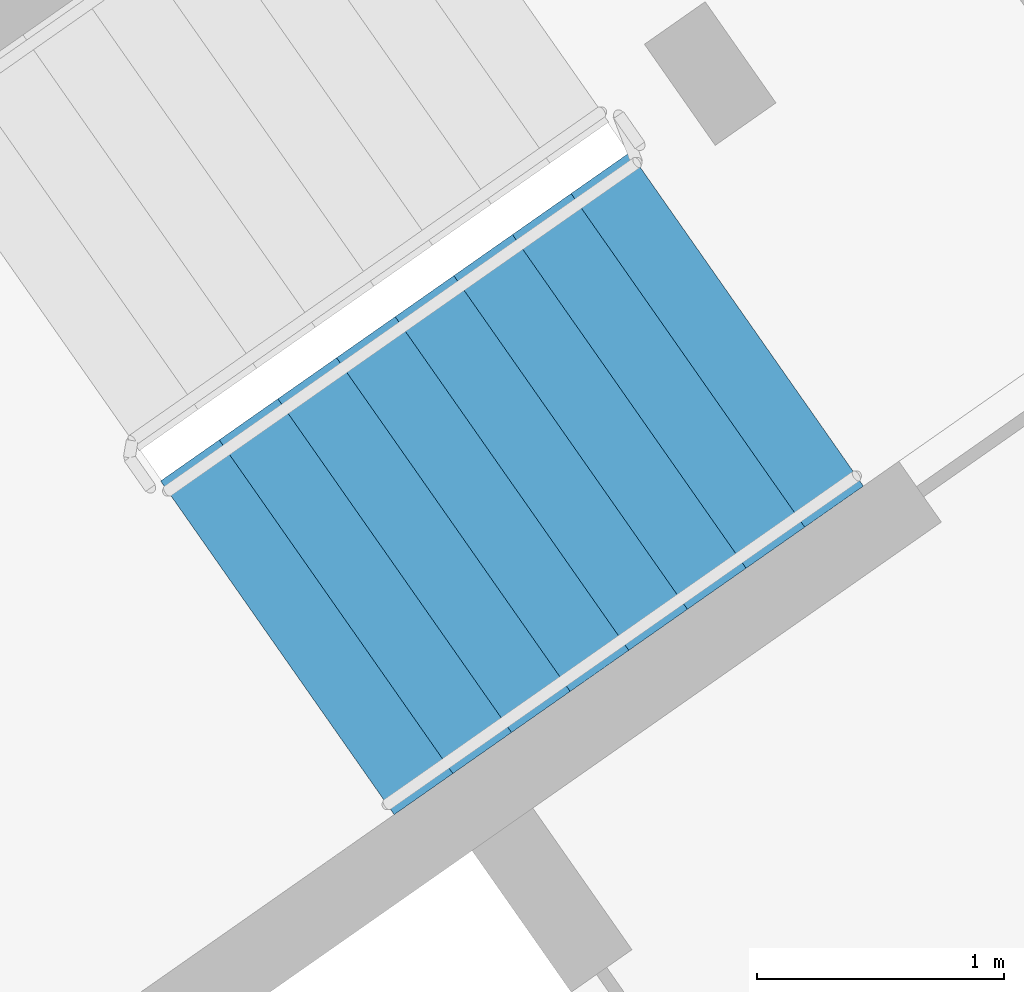
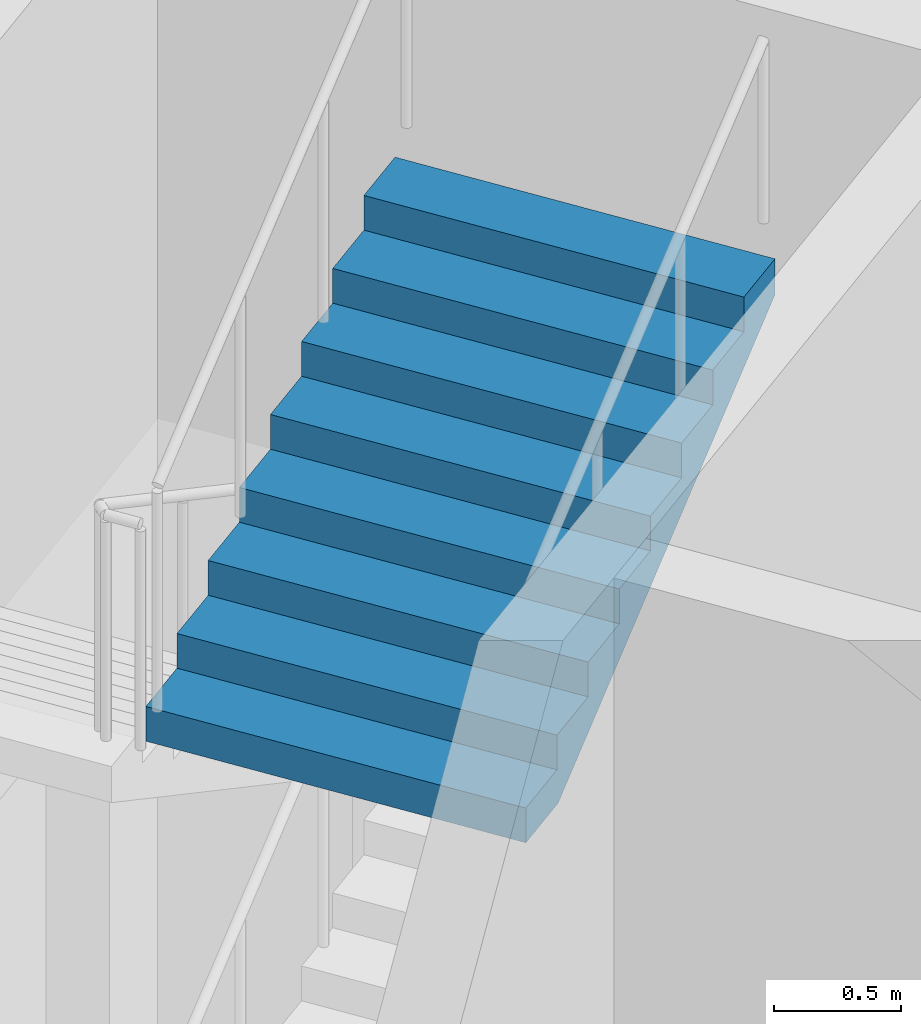
# One storey, part 21 of 41: 1 stair flight, 1 element without a shape of its own.
"""IFC4 building model written with IfcOpenShell, lengths in metres."""

from ifc_helpers import new_model, si_unit, direction, frame, origin, place, context, subcontext, project, spatial, faceted_brep, material, type_object, element, aggregate, save


model = new_model("IFC4")

# Units and contexts
model_context = context("Model", 3, precision=1e-05, world=origin(), true_north=direction((0.0, 1.0)))
body_context = subcontext(model_context, "Body", "Model", "MODEL_VIEW")
ifc_project = project(units=[si_unit("LENGTHUNIT", "METRE"), si_unit("AREAUNIT", "SQUARE_METRE"), si_unit("VOLUMEUNIT", "CUBIC_METRE"), si_unit("PLANEANGLEUNIT", "RADIAN"), si_unit("MASSUNIT", "GRAM", prefix="KILO")], contexts=[model_context])

# Site, building, storey
site_placement = place(None, origin())
site = spatial("IfcSite", under=ifc_project, at=site_placement, CompositionType="ELEMENT")
building_placement = place(site_placement, origin())
building = spatial("IfcBuilding", under=site, at=building_placement, Name="Qamariyya Broadcast Tower", CompositionType="ELEMENT")
storey_placement = place(building_placement, frame((0.0, 0.0, 284.699951171875)))
storey = spatial("IfcBuildingStorey", under=building, at=storey_placement, Name="L69", CompositionType="ELEMENT", Elevation=284.699951171875)

# Stair, stair flight
ifc_material = material(Name="Concrete C50/60", Category="concrete")
stair_type = type_object("IfcStairType", Name="Exit stair 36 risers of 167 mm", PredefinedType="HALF_TURN_STAIR", material=ifc_material)
stair_placement = place(storey_placement, origin())
stair = element("IfcStair", 1, at=stair_placement, inside=storey, type_object=stair_type, Name="L69 Stair E2", PredefinedType="HALF_TURN_STAIR")
stair_flight_type = type_object("IfcStairFlightType", Name="Exit stair flight 9 risers of 167 mm", PredefinedType="STRAIGHT", material=ifc_material)
stair_flight_placement = place(storey_placement, frame((39.690673828125, -50.490478515625, 4.5), z_axis=(0.0, 0.0, 1.0), x_axis=(0.819152044289, 0.573576436351, 0.0)))
stair_flight = element("IfcStairFlight", 2, at=stair_flight_placement, type_object=stair_flight_type, Name="ST-E2 flight 4", NumberOfRisers=9, NumberOfTreads=8, PredefinedType="STRAIGHT", RiserHeight=0.166666667, TreadLength=0.29, context=body_context, shape_type="Brep", body=[
    faceted_brep([(0.0, 0.824951171875, 0.0), (0.0, 0.824951171875, 0.166748046875), (0.2900390625, 0.824951171875, 0.166748046875), (0.2900390625, 0.824951171875, 0.333251953125), (0.580078125, 0.824951171875, 0.333251953125), (0.580078125, 0.824951171875, 0.5), (0.8701171875, 0.824951171875, 0.5), (0.8701171875, 0.824951171875, 0.666748046875), (1.159912109375, 0.824951171875, 0.666748046875), (1.159912109375, 0.824951171875, 0.833251953125), (1.449951171875, 0.824951171875, 0.833251953125), (1.449951171875, 0.824951171875, 1.0), (1.739990234375, 0.824951171875, 1.0), (1.739990234375, 0.824951171875, 1.166748046875), (2.030029296875, 0.824951171875, 1.166748046875), (2.030029296875, 0.824951171875, 1.333251953125), (2.320068359375, 0.824951171875, 1.333251953125), (2.320068359375, 0.824951171875, 1.160400390625), (0.30078125, 0.824951171875, 0.0), (0.30078125, -0.824951171875, 0.0), (2.320068359375, -0.824951171875, 1.160400390625), (2.320068359375, -0.824951171875, 1.333251953125), (2.030029296875, -0.824951171875, 1.333251953125), (2.030029296875, -0.824951171875, 1.166748046875), (1.739990234375, -0.824951171875, 1.166748046875), (1.739990234375, -0.824951171875, 1.0), (1.449951171875, -0.824951171875, 1.0), (1.449951171875, -0.824951171875, 0.833251953125), (1.159912109375, -0.824951171875, 0.833251953125), (1.159912109375, -0.824951171875, 0.666748046875), (0.8701171875, -0.824951171875, 0.666748046875), (0.8701171875, -0.824951171875, 0.5), (0.580078125, -0.824951171875, 0.5), (0.580078125, -0.824951171875, 0.333251953125), (0.2900390625, -0.824951171875, 0.333251953125), (0.2900390625, -0.824951171875, 0.166748046875), (0.0, -0.824951171875, 0.166748046875), (0.0, -0.824951171875, 0.0), (0.0, 0.10009765625, 0.0), (0.0, 0.086669921875, 0.0), (0.0, 0.0732421875, 0.0), (0.0, 0.06005859375, 0.0), (0.0, 0.046630859375, 0.0), (0.0, 0.033447265625, 0.0), (0.0, 0.02001953125, 0.0), (0.0, 0.006591796875, 0.0), (0.0, -0.006591796875, 0.0), (0.0, -0.02001953125, 0.0), (0.0, -0.033447265625, 0.0), (0.0, -0.046630859375, 0.0), (0.0, -0.06005859375, 0.0), (0.0, -0.0732421875, 0.0), (0.0, -0.086669921875, 0.0), (0.0, -0.10009765625, 0.0), (0.0, -0.10009765625, 0.166748046875), (0.0, -0.086669921875, 0.166748046875), (0.0, -0.0732421875, 0.166748046875), (0.0, -0.06005859375, 0.166748046875), (0.0, -0.046630859375, 0.166748046875), (0.0, -0.033447265625, 0.166748046875), (0.0, -0.02001953125, 0.166748046875), (0.0, -0.006591796875, 0.166748046875), (0.0, 0.006591796875, 0.166748046875), (0.0, 0.02001953125, 0.166748046875), (0.0, 0.033447265625, 0.166748046875), (0.0, 0.046630859375, 0.166748046875), (0.0, 0.06005859375, 0.166748046875), (0.0, 0.0732421875, 0.166748046875), (0.0, 0.086669921875, 0.166748046875), (0.0, 0.10009765625, 0.166748046875), (0.2900390625, -0.10009765625, 0.166748046875), (0.2900390625, -0.086669921875, 0.166748046875), (0.2900390625, -0.0732421875, 0.166748046875), (0.2900390625, -0.06005859375, 0.166748046875), (0.2900390625, -0.046630859375, 0.166748046875), (0.2900390625, -0.033447265625, 0.166748046875), (0.2900390625, -0.02001953125, 0.166748046875), (0.2900390625, -0.006591796875, 0.166748046875), (0.2900390625, 0.006591796875, 0.166748046875), (0.2900390625, 0.02001953125, 0.166748046875), (0.2900390625, 0.033447265625, 0.166748046875), (0.2900390625, 0.046630859375, 0.166748046875), (0.2900390625, 0.06005859375, 0.166748046875), (0.2900390625, 0.0732421875, 0.166748046875), (0.2900390625, 0.086669921875, 0.166748046875), (0.2900390625, 0.10009765625, 0.166748046875), (0.2900390625, -0.10009765625, 0.333251953125), (0.2900390625, -0.086669921875, 0.333251953125), (0.2900390625, -0.0732421875, 0.333251953125), (0.2900390625, -0.06005859375, 0.333251953125), (0.2900390625, -0.046630859375, 0.333251953125), (0.2900390625, -0.033447265625, 0.333251953125), (0.2900390625, -0.02001953125, 0.333251953125), (0.2900390625, -0.006591796875, 0.333251953125), (0.2900390625, 0.006591796875, 0.333251953125), (0.2900390625, 0.02001953125, 0.333251953125), (0.2900390625, 0.033447265625, 0.333251953125), (0.2900390625, 0.046630859375, 0.333251953125), (0.2900390625, 0.06005859375, 0.333251953125), (0.2900390625, 0.0732421875, 0.333251953125), (0.2900390625, 0.086669921875, 0.333251953125), (0.2900390625, 0.10009765625, 0.333251953125), (0.580078125, -0.10009765625, 0.333251953125), (0.580078125, -0.086669921875, 0.333251953125), (0.580078125, -0.0732421875, 0.333251953125), (0.580078125, -0.06005859375, 0.333251953125), (0.580078125, -0.046630859375, 0.333251953125), (0.580078125, -0.033447265625, 0.333251953125), (0.580078125, -0.02001953125, 0.333251953125), (0.580078125, -0.006591796875, 0.333251953125), (0.580078125, 0.006591796875, 0.333251953125), (0.580078125, 0.02001953125, 0.333251953125), (0.580078125, 0.033447265625, 0.333251953125), (0.580078125, 0.046630859375, 0.333251953125), (0.580078125, 0.06005859375, 0.333251953125), (0.580078125, 0.0732421875, 0.333251953125), (0.580078125, 0.086669921875, 0.333251953125), (0.580078125, 0.10009765625, 0.333251953125), (0.580078125, -0.10009765625, 0.5), (0.580078125, -0.086669921875, 0.5), (0.580078125, -0.0732421875, 0.5), (0.580078125, -0.06005859375, 0.5), (0.580078125, -0.046630859375, 0.5), (0.580078125, -0.033447265625, 0.5), (0.580078125, -0.02001953125, 0.5), (0.580078125, -0.006591796875, 0.5), (0.580078125, 0.006591796875, 0.5), (0.580078125, 0.02001953125, 0.5), (0.580078125, 0.033447265625, 0.5), (0.580078125, 0.046630859375, 0.5), (0.580078125, 0.06005859375, 0.5), (0.580078125, 0.0732421875, 0.5), (0.580078125, 0.086669921875, 0.5), (0.580078125, 0.10009765625, 0.5), (0.8701171875, -0.10009765625, 0.5), (0.8701171875, -0.086669921875, 0.5), (0.8701171875, -0.0732421875, 0.5), (0.8701171875, -0.06005859375, 0.5), (0.8701171875, -0.046630859375, 0.5), (0.8701171875, -0.033447265625, 0.5), (0.8701171875, -0.02001953125, 0.5), (0.8701171875, -0.006591796875, 0.5), (0.8701171875, 0.006591796875, 0.5), (0.8701171875, 0.02001953125, 0.5), (0.8701171875, 0.033447265625, 0.5), (0.8701171875, 0.046630859375, 0.5), (0.8701171875, 0.06005859375, 0.5), (0.8701171875, 0.0732421875, 0.5), (0.8701171875, 0.086669921875, 0.5), (0.8701171875, 0.10009765625, 0.5), (0.8701171875, -0.10009765625, 0.666748046875), (0.8701171875, -0.086669921875, 0.666748046875), (0.8701171875, -0.0732421875, 0.666748046875), (0.8701171875, -0.06005859375, 0.666748046875), (0.8701171875, -0.046630859375, 0.666748046875), (0.8701171875, -0.033447265625, 0.666748046875), (0.8701171875, -0.02001953125, 0.666748046875), (0.8701171875, -0.006591796875, 0.666748046875), (0.8701171875, 0.006591796875, 0.666748046875), (0.8701171875, 0.02001953125, 0.666748046875), (0.8701171875, 0.033447265625, 0.666748046875), (0.8701171875, 0.046630859375, 0.666748046875), (0.8701171875, 0.06005859375, 0.666748046875), (0.8701171875, 0.0732421875, 0.666748046875), (0.8701171875, 0.086669921875, 0.666748046875), (0.8701171875, 0.10009765625, 0.666748046875), (1.159912109375, -0.10009765625, 0.666748046875), (1.159912109375, -0.086669921875, 0.666748046875), (1.159912109375, -0.0732421875, 0.666748046875), (1.159912109375, -0.06005859375, 0.666748046875), (1.159912109375, -0.046630859375, 0.666748046875), (1.159912109375, -0.033447265625, 0.666748046875), (1.159912109375, -0.02001953125, 0.666748046875), (1.159912109375, -0.006591796875, 0.666748046875), (1.159912109375, 0.006591796875, 0.666748046875), (1.159912109375, 0.02001953125, 0.666748046875), (1.159912109375, 0.033447265625, 0.666748046875), (1.159912109375, 0.046630859375, 0.666748046875), (1.159912109375, 0.06005859375, 0.666748046875), (1.159912109375, 0.0732421875, 0.666748046875), (1.159912109375, 0.086669921875, 0.666748046875), (1.159912109375, 0.10009765625, 0.666748046875), (1.159912109375, -0.10009765625, 0.833251953125), (1.159912109375, -0.086669921875, 0.833251953125), (1.159912109375, -0.0732421875, 0.833251953125), (1.159912109375, -0.06005859375, 0.833251953125), (1.159912109375, -0.046630859375, 0.833251953125), (1.159912109375, -0.033447265625, 0.833251953125), (1.159912109375, -0.02001953125, 0.833251953125), (1.159912109375, -0.006591796875, 0.833251953125), (1.159912109375, 0.006591796875, 0.833251953125), (1.159912109375, 0.02001953125, 0.833251953125), (1.159912109375, 0.033447265625, 0.833251953125), (1.159912109375, 0.046630859375, 0.833251953125), (1.159912109375, 0.06005859375, 0.833251953125), (1.159912109375, 0.0732421875, 0.833251953125), (1.159912109375, 0.086669921875, 0.833251953125), (1.159912109375, 0.10009765625, 0.833251953125), (1.449951171875, -0.10009765625, 0.833251953125), (1.449951171875, -0.086669921875, 0.833251953125), (1.449951171875, -0.0732421875, 0.833251953125), (1.449951171875, -0.06005859375, 0.833251953125), (1.449951171875, -0.046630859375, 0.833251953125), (1.449951171875, -0.033447265625, 0.833251953125), (1.449951171875, -0.02001953125, 0.833251953125), (1.449951171875, -0.006591796875, 0.833251953125), (1.449951171875, 0.006591796875, 0.833251953125), (1.449951171875, 0.02001953125, 0.833251953125), (1.449951171875, 0.033447265625, 0.833251953125), (1.449951171875, 0.046630859375, 0.833251953125), (1.449951171875, 0.06005859375, 0.833251953125), (1.449951171875, 0.0732421875, 0.833251953125), (1.449951171875, 0.086669921875, 0.833251953125), (1.449951171875, 0.10009765625, 0.833251953125), (1.449951171875, -0.10009765625, 1.0), (1.449951171875, -0.086669921875, 1.0), (1.449951171875, -0.0732421875, 1.0), (1.449951171875, -0.06005859375, 1.0), (1.449951171875, -0.046630859375, 1.0), (1.449951171875, -0.033447265625, 1.0), (1.449951171875, -0.02001953125, 1.0), (1.449951171875, -0.006591796875, 1.0), (1.449951171875, 0.006591796875, 1.0), (1.449951171875, 0.02001953125, 1.0), (1.449951171875, 0.033447265625, 1.0), (1.449951171875, 0.046630859375, 1.0), (1.449951171875, 0.06005859375, 1.0), (1.449951171875, 0.0732421875, 1.0), (1.449951171875, 0.086669921875, 1.0), (1.449951171875, 0.10009765625, 1.0), (1.739990234375, -0.10009765625, 1.0), (1.739990234375, -0.086669921875, 1.0), (1.739990234375, -0.0732421875, 1.0), (1.739990234375, -0.06005859375, 1.0), (1.739990234375, -0.046630859375, 1.0), (1.739990234375, -0.033447265625, 1.0), (1.739990234375, -0.02001953125, 1.0), (1.739990234375, -0.006591796875, 1.0), (1.739990234375, 0.006591796875, 1.0), (1.739990234375, 0.02001953125, 1.0), (1.739990234375, 0.033447265625, 1.0), (1.739990234375, 0.046630859375, 1.0), (1.739990234375, 0.06005859375, 1.0), (1.739990234375, 0.0732421875, 1.0), (1.739990234375, 0.086669921875, 1.0), (1.739990234375, 0.10009765625, 1.0), (1.739990234375, -0.10009765625, 1.166748046875), (1.739990234375, -0.086669921875, 1.166748046875), (1.739990234375, -0.0732421875, 1.166748046875), (1.739990234375, -0.06005859375, 1.166748046875), (1.739990234375, -0.046630859375, 1.166748046875), (1.739990234375, -0.033447265625, 1.166748046875), (1.739990234375, -0.02001953125, 1.166748046875), (1.739990234375, -0.006591796875, 1.166748046875), (1.739990234375, 0.006591796875, 1.166748046875), (1.739990234375, 0.02001953125, 1.166748046875), (1.739990234375, 0.033447265625, 1.166748046875), (1.739990234375, 0.046630859375, 1.166748046875), (1.739990234375, 0.06005859375, 1.166748046875), (1.739990234375, 0.0732421875, 1.166748046875), (1.739990234375, 0.086669921875, 1.166748046875), (1.739990234375, 0.10009765625, 1.166748046875), (2.030029296875, -0.10009765625, 1.166748046875), (2.030029296875, -0.086669921875, 1.166748046875), (2.030029296875, -0.0732421875, 1.166748046875), (2.030029296875, -0.06005859375, 1.166748046875), (2.030029296875, -0.046630859375, 1.166748046875), (2.030029296875, -0.033447265625, 1.166748046875), (2.030029296875, -0.02001953125, 1.166748046875), (2.030029296875, -0.006591796875, 1.166748046875), (2.030029296875, 0.006591796875, 1.166748046875), (2.030029296875, 0.02001953125, 1.166748046875), (2.030029296875, 0.033447265625, 1.166748046875), (2.030029296875, 0.046630859375, 1.166748046875), (2.030029296875, 0.06005859375, 1.166748046875), (2.030029296875, 0.0732421875, 1.166748046875), (2.030029296875, 0.086669921875, 1.166748046875), (2.030029296875, 0.10009765625, 1.166748046875), (2.030029296875, -0.10009765625, 1.333251953125), (2.030029296875, -0.086669921875, 1.333251953125), (2.030029296875, -0.0732421875, 1.333251953125), (2.030029296875, -0.06005859375, 1.333251953125), (2.030029296875, -0.046630859375, 1.333251953125), (2.030029296875, -0.033447265625, 1.333251953125), (2.030029296875, -0.02001953125, 1.333251953125), (2.030029296875, -0.006591796875, 1.333251953125), (2.030029296875, 0.006591796875, 1.333251953125), (2.030029296875, 0.02001953125, 1.333251953125), (2.030029296875, 0.033447265625, 1.333251953125), (2.030029296875, 0.046630859375, 1.333251953125), (2.030029296875, 0.06005859375, 1.333251953125), (2.030029296875, 0.0732421875, 1.333251953125), (2.030029296875, 0.086669921875, 1.333251953125), (2.030029296875, 0.10009765625, 1.333251953125), (2.320068359375, -0.10009765625, 1.333251953125), (2.320068359375, -0.086669921875, 1.333251953125), (2.320068359375, -0.0732421875, 1.333251953125), (2.320068359375, -0.06005859375, 1.333251953125), (2.320068359375, -0.046630859375, 1.333251953125), (2.320068359375, -0.033447265625, 1.333251953125), (2.320068359375, -0.02001953125, 1.333251953125), (2.320068359375, -0.006591796875, 1.333251953125), (2.320068359375, 0.006591796875, 1.333251953125), (2.320068359375, 0.02001953125, 1.333251953125), (2.320068359375, 0.033447265625, 1.333251953125), (2.320068359375, 0.046630859375, 1.333251953125), (2.320068359375, 0.06005859375, 1.333251953125), (2.320068359375, 0.0732421875, 1.333251953125), (2.320068359375, 0.086669921875, 1.333251953125), (2.320068359375, 0.10009765625, 1.333251953125), (2.320068359375, -0.10009765625, 1.160400390625), (2.320068359375, -0.086669921875, 1.160400390625), (2.320068359375, -0.0732421875, 1.160400390625), (2.320068359375, -0.06005859375, 1.160400390625), (2.320068359375, -0.046630859375, 1.160400390625), (2.320068359375, -0.033447265625, 1.160400390625), (2.320068359375, -0.02001953125, 1.160400390625), (2.320068359375, -0.006591796875, 1.160400390625), (2.320068359375, 0.006591796875, 1.160400390625), (2.320068359375, 0.02001953125, 1.160400390625), (2.320068359375, 0.033447265625, 1.160400390625), (2.320068359375, 0.046630859375, 1.160400390625), (2.320068359375, 0.06005859375, 1.160400390625), (2.320068359375, 0.0732421875, 1.160400390625), (2.320068359375, 0.086669921875, 1.160400390625), (2.320068359375, 0.10009765625, 1.160400390625), (0.30078125, -0.10009765625, 0.0), (0.30078125, -0.086669921875, 0.0), (0.30078125, -0.0732421875, 0.0), (0.30078125, -0.06005859375, 0.0), (0.30078125, -0.046630859375, 0.0), (0.30078125, -0.033447265625, 0.0), (0.30078125, -0.02001953125, 0.0), (0.30078125, -0.006591796875, 0.0), (0.30078125, 0.006591796875, 0.0), (0.30078125, 0.02001953125, 0.0), (0.30078125, 0.033447265625, 0.0), (0.30078125, 0.046630859375, 0.0), (0.30078125, 0.06005859375, 0.0), (0.30078125, 0.0732421875, 0.0), (0.30078125, 0.086669921875, 0.0), (0.30078125, 0.10009765625, 0.0)], [[[0, 1, 2, 3, 4, 5, 6, 7, 8, 9, 10, 11, 12, 13, 14, 15, 16, 17, 18]], [[19, 20, 21, 22, 23, 24, 25, 26, 27, 28, 29, 30, 31, 32, 33, 34, 35, 36, 37]], [[0, 38, 39, 40, 41, 42, 43, 44, 45, 46, 47, 48, 49, 50, 51, 52, 53, 37, 36, 54, 55, 56, 57, 58, 59, 60, 61, 62, 63, 64, 65, 66, 67, 68, 69, 1]], [[1, 69, 68, 67, 66, 65, 64, 63, 62, 61, 60, 59, 58, 57, 56, 55, 54, 36, 35, 70, 71, 72, 73, 74, 75, 76, 77, 78, 79, 80, 81, 82, 83, 84, 85, 2]], [[2, 85, 84, 83, 82, 81, 80, 79, 78, 77, 76, 75, 74, 73, 72, 71, 70, 35, 34, 86, 87, 88, 89, 90, 91, 92, 93, 94, 95, 96, 97, 98, 99, 100, 101, 3]], [[3, 101, 100, 99, 98, 97, 96, 95, 94, 93, 92, 91, 90, 89, 88, 87, 86, 34, 33, 102, 103, 104, 105, 106, 107, 108, 109, 110, 111, 112, 113, 114, 115, 116, 117, 4]], [[4, 117, 116, 115, 114, 113, 112, 111, 110, 109, 108, 107, 106, 105, 104, 103, 102, 33, 32, 118, 119, 120, 121, 122, 123, 124, 125, 126, 127, 128, 129, 130, 131, 132, 133, 5]], [[5, 133, 132, 131, 130, 129, 128, 127, 126, 125, 124, 123, 122, 121, 120, 119, 118, 32, 31, 134, 135, 136, 137, 138, 139, 140, 141, 142, 143, 144, 145, 146, 147, 148, 149, 6]], [[6, 149, 148, 147, 146, 145, 144, 143, 142, 141, 140, 139, 138, 137, 136, 135, 134, 31, 30, 150, 151, 152, 153, 154, 155, 156, 157, 158, 159, 160, 161, 162, 163, 164, 165, 7]], [[7, 165, 164, 163, 162, 161, 160, 159, 158, 157, 156, 155, 154, 153, 152, 151, 150, 30, 29, 166, 167, 168, 169, 170, 171, 172, 173, 174, 175, 176, 177, 178, 179, 180, 181, 8]], [[8, 181, 180, 179, 178, 177, 176, 175, 174, 173, 172, 171, 170, 169, 168, 167, 166, 29, 28, 182, 183, 184, 185, 186, 187, 188, 189, 190, 191, 192, 193, 194, 195, 196, 197, 9]], [[9, 197, 196, 195, 194, 193, 192, 191, 190, 189, 188, 187, 186, 185, 184, 183, 182, 28, 27, 198, 199, 200, 201, 202, 203, 204, 205, 206, 207, 208, 209, 210, 211, 212, 213, 10]], [[10, 213, 212, 211, 210, 209, 208, 207, 206, 205, 204, 203, 202, 201, 200, 199, 198, 27, 26, 214, 215, 216, 217, 218, 219, 220, 221, 222, 223, 224, 225, 226, 227, 228, 229, 11]], [[11, 229, 228, 227, 226, 225, 224, 223, 222, 221, 220, 219, 218, 217, 216, 215, 214, 26, 25, 230, 231, 232, 233, 234, 235, 236, 237, 238, 239, 240, 241, 242, 243, 244, 245, 12]], [[12, 245, 244, 243, 242, 241, 240, 239, 238, 237, 236, 235, 234, 233, 232, 231, 230, 25, 24, 246, 247, 248, 249, 250, 251, 252, 253, 254, 255, 256, 257, 258, 259, 260, 261, 13]], [[13, 261, 260, 259, 258, 257, 256, 255, 254, 253, 252, 251, 250, 249, 248, 247, 246, 24, 23, 262, 263, 264, 265, 266, 267, 268, 269, 270, 271, 272, 273, 274, 275, 276, 277, 14]], [[14, 277, 276, 275, 274, 273, 272, 271, 270, 269, 268, 267, 266, 265, 264, 263, 262, 23, 22, 278, 279, 280, 281, 282, 283, 284, 285, 286, 287, 288, 289, 290, 291, 292, 293, 15]], [[15, 293, 292, 291, 290, 289, 288, 287, 286, 285, 284, 283, 282, 281, 280, 279, 278, 22, 21, 294, 295, 296, 297, 298, 299, 300, 301, 302, 303, 304, 305, 306, 307, 308, 309, 16]], [[16, 309, 308, 307, 306, 305, 304, 303, 302, 301, 300, 299, 298, 297, 296, 295, 294, 21, 20, 310, 311, 312, 313, 314, 315, 316, 317, 318, 319, 320, 321, 322, 323, 324, 325, 17]], [[17, 325, 324, 323, 322, 321, 320, 319, 318, 317, 316, 315, 314, 313, 312, 311, 310, 20, 19, 326, 327, 328, 329, 330, 331, 332, 333, 334, 335, 336, 337, 338, 339, 340, 341, 18]], [[18, 341, 340, 339, 338, 337, 336, 335, 334, 333, 332, 331, 330, 329, 328, 327, 326, 19, 37, 53, 52, 51, 50, 49, 48, 47, 46, 45, 44, 43, 42, 41, 40, 39, 38, 0]]]),
])
aggregate(stair, [stair_flight])

save(model, "model.ifc")
